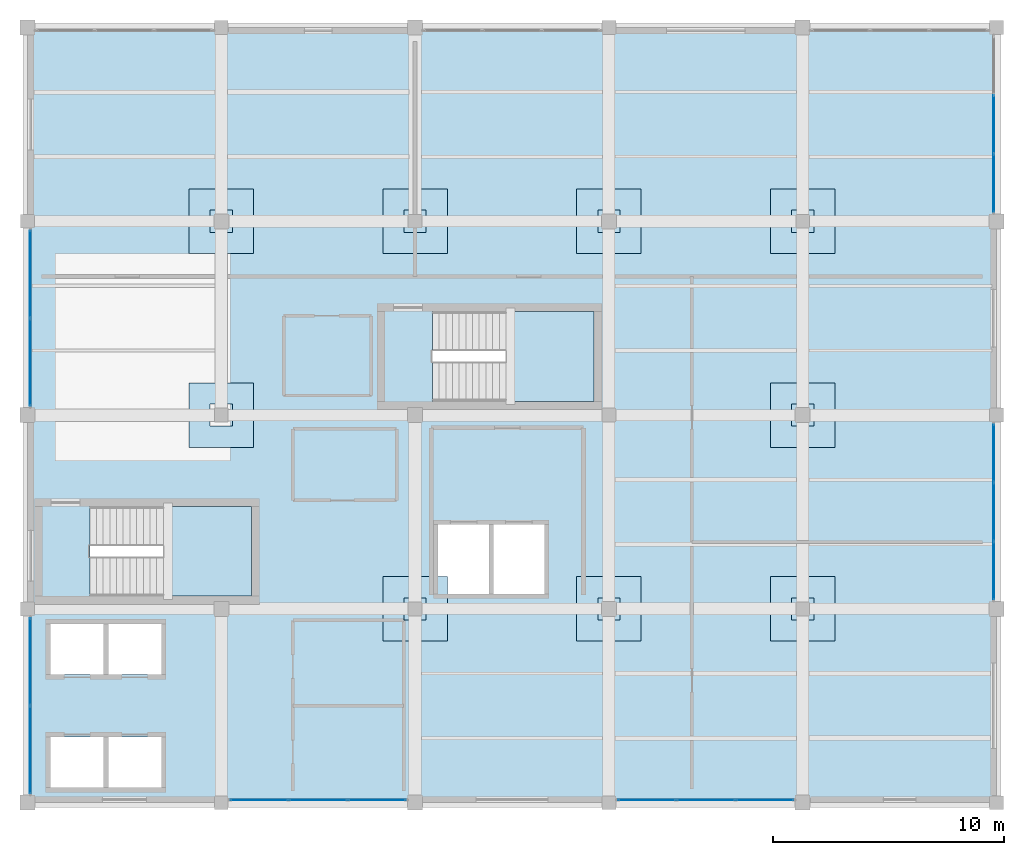
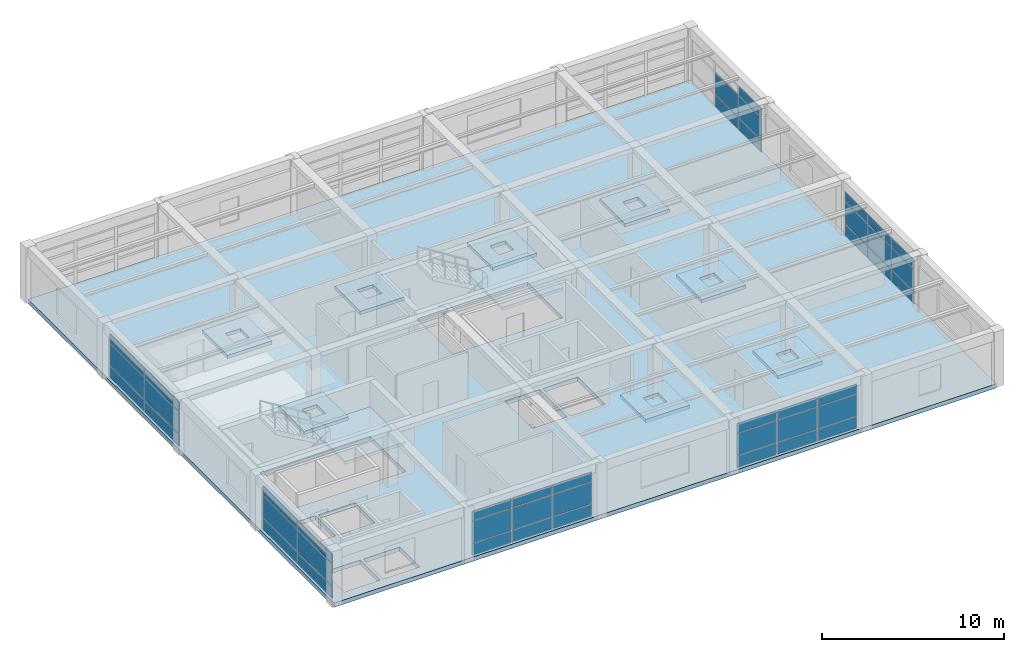
# One storey, part 22 of 26: 44 plates, 12 slabs, 8 elements without a shape of their own.
"""IFC4 building model written with IfcOpenShell, lengths in metres."""

from ifc_helpers import new_model, si_unit, direction, frame, origin, origin_2d, place, context, subcontext, project, spatial, polyline, rectangle, outline, extrude, material, layer, layer_set, type_object, element, aggregate, save


model = new_model("IFC4")

# Units and contexts
model_context = context("Model", 3, precision=1e-05, world=origin(), true_north=direction((0.0, 1.0)))
body_context = subcontext(model_context, "Body", "Model", "MODEL_VIEW")
ifc_project = project(units=[si_unit("LENGTHUNIT", "METRE"), si_unit("AREAUNIT", "SQUARE_METRE"), si_unit("VOLUMEUNIT", "CUBIC_METRE"), si_unit("PLANEANGLEUNIT", "RADIAN"), si_unit("MASSUNIT", "GRAM", prefix="KILO")], contexts=[model_context])

# Site, building, storey
site_placement = place(None, origin())
site = spatial("IfcSite", under=ifc_project, at=site_placement, CompositionType="ELEMENT")
building_placement = place(site_placement, origin())
building = spatial("IfcBuilding", under=site, at=building_placement, Name="Almacenes y Pasaje Nevantli", CompositionType="ELEMENT")
storey_placement = place(building_placement, frame((0.0, 0.0, 54.699951171875)))
storey = spatial("IfcBuildingStorey", under=building, at=storey_placement, Name="L13", CompositionType="ELEMENT", Elevation=54.699951171875)

# Curtain wall, plates
ifc_material_1 = material(Name="Thermally Broken Aluminium and Low-E Glass", Category="aluminium")
curtain_wall_type = type_object("IfcCurtainWallType", Name="CW-UNIT-TOWER", PredefinedType="USERDEFINED", material=ifc_material_1)
curtain_wall_1_placement = place(storey_placement, origin())
curtain_wall_1 = element("IfcCurtainWall", 1, at=curtain_wall_1_placement, inside=storey, type_object=curtain_wall_type, Name="L13 Tower South Unitized Curtain Wall Bay 16", ObjectType="UNITIZED CURTAIN WALL", PredefinedType="USERDEFINED")
ifc_material_2 = material(Name="Low-E Double Glazed Insulated Unit", Category="glass")
ifc_layer_1 = layer(ifc_material_2, 0.031982421875)
ifc_layer_set_1 = layer_set([ifc_layer_1], Name="Low-E Double Glazed Insulated Unit")
plate_type_1 = type_object("IfcPlateType", Name="PL-IGU-32", PredefinedType="CURTAIN_PANEL", material=ifc_layer_set_1)
plate_1_placement = place(storey_placement, frame((127.6484375, 67.320068359375, 0.06005859375), z_axis=(0.0, 0.0, 1.0), x_axis=(1.0, 0.0, 0.0)))
plate_1 = element("IfcPlate", 2, at=plate_1_placement, type_object=plate_type_1, Name="CW-L13-169 panel 1.1", PredefinedType="CURTAIN_PANEL", context=body_context, shape_type="SweptSolid", body=[
    extrude(rectangle(XDim=2.4765625, YDim=0.031982421875, at=origin_2d()), origin(), (0.0, 0.0, 1.0), 0.760009765625),
])
plate_2_placement = place(storey_placement, frame((127.6484375, 67.320068359375, 0.880126953125), z_axis=(0.0, 0.0, 1.0), x_axis=(1.0, 0.0, 0.0)))
plate_2 = element("IfcPlate", 3, at=plate_2_placement, type_object=plate_type_1, Name="CW-L13-169 panel 1.2", PredefinedType="CURTAIN_PANEL", context=body_context, shape_type="SweptSolid", body=[
    extrude(rectangle(XDim=2.4765625, YDim=0.031982421875, at=origin_2d()), origin(), (0.0, 0.0, 1.0), 1.43994140625),
])
plate_3_placement = place(storey_placement, frame((127.6484375, 67.320068359375, 2.3798828125), z_axis=(0.0, 0.0, 1.0), x_axis=(1.0, 0.0, 0.0)))
plate_3 = element("IfcPlate", 4, at=plate_3_placement, type_object=plate_type_1, Name="CW-L13-169 panel 1.3", PredefinedType="CURTAIN_PANEL", context=body_context, shape_type="SweptSolid", body=[
    extrude(rectangle(XDim=2.4765625, YDim=0.031982421875, at=origin_2d()), origin(), (0.0, 0.0, 1.0), 0.60009765625),
])
plate_4_placement = place(storey_placement, frame((130.199951171875, 67.320068359375, 0.06005859375), z_axis=(0.0, 0.0, 1.0), x_axis=(1.0, 0.0, 0.0)))
plate_4 = element("IfcPlate", 5, at=plate_4_placement, type_object=plate_type_1, Name="CW-L13-169 panel 2.1", PredefinedType="CURTAIN_PANEL", context=body_context, shape_type="SweptSolid", body=[
    extrude(rectangle(XDim=2.506591796875, YDim=0.031982421875, at=origin_2d()), origin(), (0.0, 0.0, 1.0), 0.760009765625),
])
plate_5_placement = place(storey_placement, frame((130.199951171875, 67.320068359375, 0.880126953125), z_axis=(0.0, 0.0, 1.0), x_axis=(1.0, 0.0, 0.0)))
plate_5 = element("IfcPlate", 6, at=plate_5_placement, type_object=plate_type_1, Name="CW-L13-169 panel 2.2", PredefinedType="CURTAIN_PANEL", context=body_context, shape_type="SweptSolid", body=[
    extrude(rectangle(XDim=2.506591796875, YDim=0.031982421875, at=origin_2d()), origin(), (0.0, 0.0, 1.0), 1.43994140625),
])
plate_6_placement = place(storey_placement, frame((130.199951171875, 67.320068359375, 2.3798828125), z_axis=(0.0, 0.0, 1.0), x_axis=(1.0, 0.0, 0.0)))
plate_6 = element("IfcPlate", 7, at=plate_6_placement, type_object=plate_type_1, Name="CW-L13-169 panel 2.3", PredefinedType="CURTAIN_PANEL", context=body_context, shape_type="SweptSolid", body=[
    extrude(rectangle(XDim=2.506591796875, YDim=0.031982421875, at=origin_2d()), origin(), (0.0, 0.0, 1.0), 0.60009765625),
])
plate_7_placement = place(storey_placement, frame((132.751708984375, 67.320068359375, 0.06005859375), z_axis=(0.0, 0.0, 1.0), x_axis=(1.0, 0.0, 0.0)))
plate_7 = element("IfcPlate", 8, at=plate_7_placement, type_object=plate_type_1, Name="CW-L13-169 panel 3.1", PredefinedType="CURTAIN_PANEL", context=body_context, shape_type="SweptSolid", body=[
    extrude(rectangle(XDim=2.4765625, YDim=0.031982421875, at=origin_2d()), origin(), (0.0, 0.0, 1.0), 0.760009765625),
])
plate_8_placement = place(storey_placement, frame((132.751708984375, 67.320068359375, 0.880126953125), z_axis=(0.0, 0.0, 1.0), x_axis=(1.0, 0.0, 0.0)))
plate_8 = element("IfcPlate", 9, at=plate_8_placement, type_object=plate_type_1, Name="CW-L13-169 panel 3.2", PredefinedType="CURTAIN_PANEL", context=body_context, shape_type="SweptSolid", body=[
    extrude(rectangle(XDim=2.4765625, YDim=0.031982421875, at=origin_2d()), origin(), (0.0, 0.0, 1.0), 1.43994140625),
])
plate_9_placement = place(storey_placement, frame((132.751708984375, 67.320068359375, 2.3798828125), z_axis=(0.0, 0.0, 1.0), x_axis=(1.0, 0.0, 0.0)))
plate_9 = element("IfcPlate", 10, at=plate_9_placement, type_object=plate_type_1, Name="CW-L13-169 panel 3.3", PredefinedType="CURTAIN_PANEL", context=body_context, shape_type="SweptSolid", body=[
    extrude(rectangle(XDim=2.4765625, YDim=0.031982421875, at=origin_2d()), origin(), (0.0, 0.0, 1.0), 0.60009765625),
])
aggregate(curtain_wall_1, [plate_1, plate_2, plate_3, plate_4, plate_5, plate_6, plate_7, plate_8, plate_9])

curtain_wall_2_placement = place(storey_placement, origin())
curtain_wall_2 = element("IfcCurtainWall", 11, at=curtain_wall_2_placement, inside=storey, type_object=curtain_wall_type, Name="L13 Tower South Unitized Curtain Wall Bay 18", ObjectType="UNITIZED CURTAIN WALL", PredefinedType="USERDEFINED")
plate_10_placement = place(storey_placement, frame((144.4482421875, 67.320068359375, 0.06005859375), z_axis=(0.0, 0.0, 1.0), x_axis=(1.0, 0.0, 0.0)))
plate_10 = element("IfcPlate", 12, at=plate_10_placement, type_object=plate_type_1, Name="CW-L13-171 panel 1.1", PredefinedType="CURTAIN_PANEL", context=body_context, shape_type="SweptSolid", body=[
    extrude(rectangle(XDim=2.4765625, YDim=0.031982421875, at=origin_2d()), origin(), (0.0, 0.0, 1.0), 0.760009765625),
])
plate_11_placement = place(storey_placement, frame((144.4482421875, 67.320068359375, 0.880126953125), z_axis=(0.0, 0.0, 1.0), x_axis=(1.0, 0.0, 0.0)))
plate_11 = element("IfcPlate", 13, at=plate_11_placement, type_object=plate_type_1, Name="CW-L13-171 panel 1.2", PredefinedType="CURTAIN_PANEL", context=body_context, shape_type="SweptSolid", body=[
    extrude(rectangle(XDim=2.4765625, YDim=0.031982421875, at=origin_2d()), origin(), (0.0, 0.0, 1.0), 1.43994140625),
])
plate_12_placement = place(storey_placement, frame((144.4482421875, 67.320068359375, 2.3798828125), z_axis=(0.0, 0.0, 1.0), x_axis=(1.0, 0.0, 0.0)))
plate_12 = element("IfcPlate", 14, at=plate_12_placement, type_object=plate_type_1, Name="CW-L13-171 panel 1.3", PredefinedType="CURTAIN_PANEL", context=body_context, shape_type="SweptSolid", body=[
    extrude(rectangle(XDim=2.4765625, YDim=0.031982421875, at=origin_2d()), origin(), (0.0, 0.0, 1.0), 0.60009765625),
])
plate_13_placement = place(storey_placement, frame((147.0, 67.320068359375, 0.06005859375), z_axis=(0.0, 0.0, 1.0), x_axis=(1.0, 0.0, 0.0)))
plate_13 = element("IfcPlate", 15, at=plate_13_placement, type_object=plate_type_1, Name="CW-L13-171 panel 2.1", PredefinedType="CURTAIN_PANEL", context=body_context, shape_type="SweptSolid", body=[
    extrude(rectangle(XDim=2.506591796875, YDim=0.031982421875, at=origin_2d()), origin(), (0.0, 0.0, 1.0), 0.760009765625),
])
plate_14_placement = place(storey_placement, frame((147.0, 67.320068359375, 0.880126953125), z_axis=(0.0, 0.0, 1.0), x_axis=(1.0, 0.0, 0.0)))
plate_14 = element("IfcPlate", 16, at=plate_14_placement, type_object=plate_type_1, Name="CW-L13-171 panel 2.2", PredefinedType="CURTAIN_PANEL", context=body_context, shape_type="SweptSolid", body=[
    extrude(rectangle(XDim=2.506591796875, YDim=0.031982421875, at=origin_2d()), origin(), (0.0, 0.0, 1.0), 1.43994140625),
])
plate_15_placement = place(storey_placement, frame((147.0, 67.320068359375, 2.3798828125), z_axis=(0.0, 0.0, 1.0), x_axis=(1.0, 0.0, 0.0)))
plate_15 = element("IfcPlate", 17, at=plate_15_placement, type_object=plate_type_1, Name="CW-L13-171 panel 2.3", PredefinedType="CURTAIN_PANEL", context=body_context, shape_type="SweptSolid", body=[
    extrude(rectangle(XDim=2.506591796875, YDim=0.031982421875, at=origin_2d()), origin(), (0.0, 0.0, 1.0), 0.60009765625),
])
plate_16_placement = place(storey_placement, frame((149.5517578125, 67.320068359375, 0.06005859375), z_axis=(0.0, 0.0, 1.0), x_axis=(1.0, 0.0, 0.0)))
plate_16 = element("IfcPlate", 18, at=plate_16_placement, type_object=plate_type_1, Name="CW-L13-171 panel 3.1", PredefinedType="CURTAIN_PANEL", context=body_context, shape_type="SweptSolid", body=[
    extrude(rectangle(XDim=2.4765625, YDim=0.031982421875, at=origin_2d()), origin(), (0.0, 0.0, 1.0), 0.760009765625),
])
plate_17_placement = place(storey_placement, frame((149.5517578125, 67.320068359375, 0.880126953125), z_axis=(0.0, 0.0, 1.0), x_axis=(1.0, 0.0, 0.0)))
plate_17 = element("IfcPlate", 19, at=plate_17_placement, type_object=plate_type_1, Name="CW-L13-171 panel 3.2", PredefinedType="CURTAIN_PANEL", context=body_context, shape_type="SweptSolid", body=[
    extrude(rectangle(XDim=2.4765625, YDim=0.031982421875, at=origin_2d()), origin(), (0.0, 0.0, 1.0), 1.43994140625),
])
plate_18_placement = place(storey_placement, frame((149.5517578125, 67.320068359375, 2.3798828125), z_axis=(0.0, 0.0, 1.0), x_axis=(1.0, 0.0, 0.0)))
plate_18 = element("IfcPlate", 20, at=plate_18_placement, type_object=plate_type_1, Name="CW-L13-171 panel 3.3", PredefinedType="CURTAIN_PANEL", context=body_context, shape_type="SweptSolid", body=[
    extrude(rectangle(XDim=2.4765625, YDim=0.031982421875, at=origin_2d()), origin(), (0.0, 0.0, 1.0), 0.60009765625),
])
aggregate(curtain_wall_2, [plate_10, plate_11, plate_12, plate_13, plate_14, plate_15, plate_16, plate_17, plate_18])

curtain_wall_3_placement = place(storey_placement, origin())
curtain_wall_3 = element("IfcCurtainWall", 21, at=curtain_wall_3_placement, inside=storey, type_object=curtain_wall_type, Name="L13 Tower West Curtain Wall Bay 9", ObjectType="UNITIZED CURTAIN WALL", PredefinedType="USERDEFINED")
plate_19_placement = place(storey_placement, frame((117.719970703125, 69.489990234375, 0.06005859375), z_axis=(0.0, 0.0, 1.0), x_axis=(0.0, 1.0, 0.0)))
plate_19 = element("IfcPlate", 22, at=plate_19_placement, type_object=plate_type_1, Name="CW-L13-173 panel 1.1", PredefinedType="CURTAIN_PANEL", context=body_context, shape_type="SweptSolid", body=[
    extrude(rectangle(XDim=3.760009765625, YDim=0.031982421875, at=origin_2d()), origin(), (0.0, 0.0, 1.0), 0.760009765625),
])
plate_20_placement = place(storey_placement, frame((117.719970703125, 69.489990234375, 0.880126953125), z_axis=(0.0, 0.0, 1.0), x_axis=(0.0, 1.0, 0.0)))
plate_20 = element("IfcPlate", 23, at=plate_20_placement, type_object=plate_type_1, Name="CW-L13-173 panel 1.2", PredefinedType="CURTAIN_PANEL", context=body_context, shape_type="SweptSolid", body=[
    extrude(rectangle(XDim=3.760009765625, YDim=0.031982421875, at=origin_2d()), origin(), (0.0, 0.0, 1.0), 1.43994140625),
])
plate_21_placement = place(storey_placement, frame((117.719970703125, 69.489990234375, 2.3798828125), z_axis=(0.0, 0.0, 1.0), x_axis=(0.0, 1.0, 0.0)))
plate_21 = element("IfcPlate", 24, at=plate_21_placement, type_object=plate_type_1, Name="CW-L13-173 panel 1.3", PredefinedType="CURTAIN_PANEL", context=body_context, shape_type="SweptSolid", body=[
    extrude(rectangle(XDim=3.760009765625, YDim=0.031982421875, at=origin_2d()), origin(), (0.0, 0.0, 1.0), 0.60009765625),
])
plate_22_placement = place(storey_placement, frame((117.719970703125, 73.31005859375, 0.06005859375), z_axis=(0.0, 0.0, 1.0), x_axis=(0.0, 1.0, 0.0)))
plate_22 = element("IfcPlate", 25, at=plate_22_placement, type_object=plate_type_1, Name="CW-L13-173 panel 2.1", PredefinedType="CURTAIN_PANEL", context=body_context, shape_type="SweptSolid", body=[
    extrude(rectangle(XDim=3.760009765625, YDim=0.031982421875, at=origin_2d()), origin(), (0.0, 0.0, 1.0), 0.760009765625),
])
plate_23_placement = place(storey_placement, frame((117.719970703125, 73.31005859375, 0.880126953125), z_axis=(0.0, 0.0, 1.0), x_axis=(0.0, 1.0, 0.0)))
plate_23 = element("IfcPlate", 26, at=plate_23_placement, type_object=plate_type_1, Name="CW-L13-173 panel 2.2", PredefinedType="CURTAIN_PANEL", context=body_context, shape_type="SweptSolid", body=[
    extrude(rectangle(XDim=3.760009765625, YDim=0.031982421875, at=origin_2d()), origin(), (0.0, 0.0, 1.0), 1.43994140625),
])
plate_24_placement = place(storey_placement, frame((117.719970703125, 73.31005859375, 2.3798828125), z_axis=(0.0, 0.0, 1.0), x_axis=(0.0, 1.0, 0.0)))
plate_24 = element("IfcPlate", 27, at=plate_24_placement, type_object=plate_type_1, Name="CW-L13-173 panel 2.3", PredefinedType="CURTAIN_PANEL", context=body_context, shape_type="SweptSolid", body=[
    extrude(rectangle(XDim=3.760009765625, YDim=0.031982421875, at=origin_2d()), origin(), (0.0, 0.0, 1.0), 0.60009765625),
])
aggregate(curtain_wall_3, [plate_19, plate_20, plate_21, plate_22, plate_23, plate_24])

curtain_wall_4_placement = place(storey_placement, origin())
curtain_wall_4 = element("IfcCurtainWall", 28, at=curtain_wall_4_placement, inside=storey, type_object=curtain_wall_type, Name="L13 Tower West Curtain Wall Bay 11", ObjectType="UNITIZED CURTAIN WALL", PredefinedType="USERDEFINED")
plate_25_placement = place(storey_placement, frame((117.719970703125, 86.2900390625, 0.06005859375), z_axis=(0.0, 0.0, 1.0), x_axis=(0.0, 1.0, 0.0)))
plate_25 = element("IfcPlate", 29, at=plate_25_placement, type_object=plate_type_1, Name="CW-L13-175 panel 1.1", PredefinedType="CURTAIN_PANEL", context=body_context, shape_type="SweptSolid", body=[
    extrude(rectangle(XDim=3.760009765625, YDim=0.031982421875, at=origin_2d()), origin(), (0.0, 0.0, 1.0), 0.760009765625),
])
plate_26_placement = place(storey_placement, frame((117.719970703125, 86.2900390625, 0.880126953125), z_axis=(0.0, 0.0, 1.0), x_axis=(0.0, 1.0, 0.0)))
plate_26 = element("IfcPlate", 30, at=plate_26_placement, type_object=plate_type_1, Name="CW-L13-175 panel 1.2", PredefinedType="CURTAIN_PANEL", context=body_context, shape_type="SweptSolid", body=[
    extrude(rectangle(XDim=3.760009765625, YDim=0.031982421875, at=origin_2d()), origin(), (0.0, 0.0, 1.0), 1.43994140625),
])
plate_27_placement = place(storey_placement, frame((117.719970703125, 86.2900390625, 2.3798828125), z_axis=(0.0, 0.0, 1.0), x_axis=(0.0, 1.0, 0.0)))
plate_27 = element("IfcPlate", 31, at=plate_27_placement, type_object=plate_type_1, Name="CW-L13-175 panel 1.3", PredefinedType="CURTAIN_PANEL", context=body_context, shape_type="SweptSolid", body=[
    extrude(rectangle(XDim=3.760009765625, YDim=0.031982421875, at=origin_2d()), origin(), (0.0, 0.0, 1.0), 0.60009765625),
])
plate_28_placement = place(storey_placement, frame((117.719970703125, 90.110107421875, 0.06005859375), z_axis=(0.0, 0.0, 1.0), x_axis=(0.0, 1.0, 0.0)))
plate_28 = element("IfcPlate", 32, at=plate_28_placement, type_object=plate_type_1, Name="CW-L13-175 panel 2.1", PredefinedType="CURTAIN_PANEL", context=body_context, shape_type="SweptSolid", body=[
    extrude(rectangle(XDim=3.760009765625, YDim=0.031982421875, at=origin_2d()), origin(), (0.0, 0.0, 1.0), 0.760009765625),
])
plate_29_placement = place(storey_placement, frame((117.719970703125, 90.110107421875, 0.880126953125), z_axis=(0.0, 0.0, 1.0), x_axis=(0.0, 1.0, 0.0)))
plate_29 = element("IfcPlate", 33, at=plate_29_placement, type_object=plate_type_1, Name="CW-L13-175 panel 2.2", PredefinedType="CURTAIN_PANEL", context=body_context, shape_type="SweptSolid", body=[
    extrude(rectangle(XDim=3.760009765625, YDim=0.031982421875, at=origin_2d()), origin(), (0.0, 0.0, 1.0), 1.43994140625),
])
plate_30_placement = place(storey_placement, frame((117.719970703125, 90.110107421875, 2.3798828125), z_axis=(0.0, 0.0, 1.0), x_axis=(0.0, 1.0, 0.0)))
plate_30 = element("IfcPlate", 34, at=plate_30_placement, type_object=plate_type_1, Name="CW-L13-175 panel 2.3", PredefinedType="CURTAIN_PANEL", context=body_context, shape_type="SweptSolid", body=[
    extrude(rectangle(XDim=3.760009765625, YDim=0.031982421875, at=origin_2d()), origin(), (0.0, 0.0, 1.0), 0.60009765625),
])
aggregate(curtain_wall_4, [plate_25, plate_26, plate_27, plate_28, plate_29, plate_30])

curtain_wall_5_placement = place(storey_placement, origin())
curtain_wall_5 = element("IfcCurtainWall", 35, at=curtain_wall_5_placement, inside=storey, type_object=curtain_wall_type, Name="L13 Tower East Curtain Wall Bay 10", ObjectType="UNITIZED CURTAIN WALL", PredefinedType="USERDEFINED")
ifc_material_3 = material(Name="Acoustic Tempered Low-E Triple Glazed Unit", Category="glass")
ifc_layer_2 = layer(ifc_material_3, 0.0419921875)
ifc_layer_set_2 = layer_set([ifc_layer_2], Name="Acoustic Tempered Low-E Triple Glazed Unit")
plate_type_2 = type_object("IfcPlateType", Name="PL-IGU-42", PredefinedType="CURTAIN_PANEL", material=ifc_layer_set_2)
plate_31_placement = place(storey_placement, frame((159.47998046875, 77.248291015625, 0.06005859375), z_axis=(0.0, 0.0, 1.0), x_axis=(0.0, 1.0, 0.0)))
plate_31 = element("IfcPlate", 36, at=plate_31_placement, type_object=plate_type_2, Name="CW-L13-174 panel 1.1", PredefinedType="CURTAIN_PANEL", context=body_context, shape_type="SweptSolid", body=[
    extrude(rectangle(XDim=2.4765625, YDim=0.0419921875, at=origin_2d()), origin(), (0.0, 0.0, 1.0), 0.760009765625),
])
plate_32_placement = place(storey_placement, frame((159.47998046875, 77.248291015625, 0.880126953125), z_axis=(0.0, 0.0, 1.0), x_axis=(0.0, 1.0, 0.0)))
plate_32 = element("IfcPlate", 37, at=plate_32_placement, type_object=plate_type_2, Name="CW-L13-174 panel 1.2", PredefinedType="CURTAIN_PANEL", context=body_context, shape_type="SweptSolid", body=[
    extrude(rectangle(XDim=2.4765625, YDim=0.0419921875, at=origin_2d()), origin(), (0.0, 0.0, 1.0), 1.43994140625),
])
plate_33_placement = place(storey_placement, frame((159.47998046875, 77.248291015625, 2.3798828125), z_axis=(0.0, 0.0, 1.0), x_axis=(0.0, 1.0, 0.0)))
plate_33 = element("IfcPlate", 38, at=plate_33_placement, type_object=plate_type_2, Name="CW-L13-174 panel 1.3", PredefinedType="CURTAIN_PANEL", context=body_context, shape_type="SweptSolid", body=[
    extrude(rectangle(XDim=2.4765625, YDim=0.0419921875, at=origin_2d()), origin(), (0.0, 0.0, 1.0), 0.60009765625),
])
plate_34_placement = place(storey_placement, frame((159.47998046875, 79.800048828125, 0.06005859375), z_axis=(0.0, 0.0, 1.0), x_axis=(0.0, 1.0, 0.0)))
plate_34 = element("IfcPlate", 39, at=plate_34_placement, type_object=plate_type_2, Name="CW-L13-174 panel 2.1", PredefinedType="CURTAIN_PANEL", context=body_context, shape_type="SweptSolid", body=[
    extrude(rectangle(XDim=2.506591796875, YDim=0.0419921875, at=origin_2d()), origin(), (0.0, 0.0, 1.0), 0.760009765625),
])
plate_35_placement = place(storey_placement, frame((159.47998046875, 79.800048828125, 0.880126953125), z_axis=(0.0, 0.0, 1.0), x_axis=(0.0, 1.0, 0.0)))
plate_35 = element("IfcPlate", 40, at=plate_35_placement, type_object=plate_type_2, Name="CW-L13-174 panel 2.2", PredefinedType="CURTAIN_PANEL", context=body_context, shape_type="SweptSolid", body=[
    extrude(rectangle(XDim=2.506591796875, YDim=0.0419921875, at=origin_2d()), origin(), (0.0, 0.0, 1.0), 1.43994140625),
])
plate_36_placement = place(storey_placement, frame((159.47998046875, 79.800048828125, 2.3798828125), z_axis=(0.0, 0.0, 1.0), x_axis=(0.0, 1.0, 0.0)))
plate_36 = element("IfcPlate", 41, at=plate_36_placement, type_object=plate_type_2, Name="CW-L13-174 panel 2.3", PredefinedType="CURTAIN_PANEL", context=body_context, shape_type="SweptSolid", body=[
    extrude(rectangle(XDim=2.506591796875, YDim=0.0419921875, at=origin_2d()), origin(), (0.0, 0.0, 1.0), 0.60009765625),
])
plate_37_placement = place(storey_placement, frame((159.47998046875, 82.3515625, 0.06005859375), z_axis=(0.0, 0.0, 1.0), x_axis=(0.0, 1.0, 0.0)))
plate_37 = element("IfcPlate", 42, at=plate_37_placement, type_object=plate_type_2, Name="CW-L13-174 panel 3.1", PredefinedType="CURTAIN_PANEL", context=body_context, shape_type="SweptSolid", body=[
    extrude(rectangle(XDim=2.4765625, YDim=0.0419921875, at=origin_2d()), origin(), (0.0, 0.0, 1.0), 0.760009765625),
])
plate_38_placement = place(storey_placement, frame((159.47998046875, 82.3515625, 0.880126953125), z_axis=(0.0, 0.0, 1.0), x_axis=(0.0, 1.0, 0.0)))
plate_38 = element("IfcPlate", 43, at=plate_38_placement, type_object=plate_type_2, Name="CW-L13-174 panel 3.2", PredefinedType="CURTAIN_PANEL", context=body_context, shape_type="SweptSolid", body=[
    extrude(rectangle(XDim=2.4765625, YDim=0.0419921875, at=origin_2d()), origin(), (0.0, 0.0, 1.0), 1.43994140625),
])
plate_39_placement = place(storey_placement, frame((159.47998046875, 82.3515625, 2.3798828125), z_axis=(0.0, 0.0, 1.0), x_axis=(0.0, 1.0, 0.0)))
plate_39 = element("IfcPlate", 44, at=plate_39_placement, type_object=plate_type_2, Name="CW-L13-174 panel 3.3", PredefinedType="CURTAIN_PANEL", context=body_context, shape_type="SweptSolid", body=[
    extrude(rectangle(XDim=2.4765625, YDim=0.0419921875, at=origin_2d()), origin(), (0.0, 0.0, 1.0), 0.60009765625),
])
aggregate(curtain_wall_5, [plate_31, plate_32, plate_33, plate_34, plate_35, plate_36, plate_37, plate_38, plate_39])

curtain_wall_6_placement = place(storey_placement, origin())
curtain_wall_6 = element("IfcCurtainWall", 45, at=curtain_wall_6_placement, inside=storey, type_object=curtain_wall_type, Name="L13 Tower East Curtain Wall Bay 12", ObjectType="UNITIZED CURTAIN WALL", PredefinedType="USERDEFINED")
plate_40_placement = place(storey_placement, frame((159.47998046875, 94.04833984375, 0.06005859375), z_axis=(0.0, 0.0, 1.0), x_axis=(0.0, 1.0, 0.0)))
plate_40 = element("IfcPlate", 46, at=plate_40_placement, type_object=plate_type_2, Name="CW-L13-176 panel 1.1", PredefinedType="CURTAIN_PANEL", context=body_context, shape_type="SweptSolid", body=[
    extrude(rectangle(XDim=2.4765625, YDim=0.0419921875, at=origin_2d()), origin(), (0.0, 0.0, 1.0), 0.760009765625),
])
plate_41_placement = place(storey_placement, frame((159.47998046875, 94.04833984375, 0.880126953125), z_axis=(0.0, 0.0, 1.0), x_axis=(0.0, 1.0, 0.0)))
plate_41 = element("IfcPlate", 47, at=plate_41_placement, type_object=plate_type_2, Name="CW-L13-176 panel 1.2", PredefinedType="CURTAIN_PANEL", context=body_context, shape_type="SweptSolid", body=[
    extrude(rectangle(XDim=2.4765625, YDim=0.0419921875, at=origin_2d()), origin(), (0.0, 0.0, 1.0), 1.43994140625),
])
plate_42_placement = place(storey_placement, frame((159.47998046875, 94.04833984375, 2.3798828125), z_axis=(0.0, 0.0, 1.0), x_axis=(0.0, 1.0, 0.0)))
plate_42 = element("IfcPlate", 48, at=plate_42_placement, type_object=plate_type_2, Name="CW-L13-176 panel 1.3", PredefinedType="CURTAIN_PANEL", context=body_context, shape_type="SweptSolid", body=[
    extrude(rectangle(XDim=2.4765625, YDim=0.0419921875, at=origin_2d()), origin(), (0.0, 0.0, 1.0), 0.60009765625),
])
plate_43_placement = place(storey_placement, frame((159.47998046875, 96.60009765625, 0.06005859375), z_axis=(0.0, 0.0, 1.0), x_axis=(0.0, 1.0, 0.0)))
plate_43 = element("IfcPlate", 49, at=plate_43_placement, type_object=plate_type_2, Name="CW-L13-176 panel 2.1", PredefinedType="CURTAIN_PANEL", context=body_context, shape_type="SweptSolid", body=[
    extrude(rectangle(XDim=2.506591796875, YDim=0.0419921875, at=origin_2d()), origin(), (0.0, 0.0, 1.0), 0.760009765625),
])
plate_44_placement = place(storey_placement, frame((159.47998046875, 96.60009765625, 0.880126953125), z_axis=(0.0, 0.0, 1.0), x_axis=(0.0, 1.0, 0.0)))
plate_44 = element("IfcPlate", 50, at=plate_44_placement, type_object=plate_type_2, Name="CW-L13-176 panel 2.2", PredefinedType="CURTAIN_PANEL", context=body_context, shape_type="SweptSolid", body=[
    extrude(rectangle(XDim=2.506591796875, YDim=0.0419921875, at=origin_2d()), origin(), (0.0, 0.0, 1.0), 1.43994140625),
])
aggregate(curtain_wall_6, [plate_40, plate_41, plate_42, plate_43, plate_44])

# Slabs
ifc_material_4 = material(Name="Concrete C35/45", Category="concrete")
ifc_layer_3 = layer(ifc_material_4, 0.22998046875)
ifc_layer_set_3 = layer_set([ifc_layer_3], Name="Concrete C35/45")
slab_type_1 = type_object("IfcSlabType", Name="SLB-DP-230", PredefinedType="USERDEFINED", material=ifc_layer_set_3)
slab_1_placement = place(storey_placement, frame((0.0, 0.0, -0.510009765625)))
element("IfcSlab", 51, at=slab_1_placement, inside=storey, type_object=slab_type_1, Name="L13 Punching-Shear Drop Panel DP-01 #1170", ObjectType="DROP PANEL", PredefinedType="USERDEFINED", context=body_context, shape_type="SweptSolid", body=[
    extrude(outline(polyline([(124.60009765625, 82.60009765625), (127.39990234375, 82.60009765625), (127.39990234375, 85.39990234375), (124.60009765625, 85.39990234375), (124.60009765625, 82.60009765625)]), holes=[polyline([(125.52001953125, 83.52001953125), (126.47998046875, 83.52001953125), (126.47998046875, 84.47998046875), (125.52001953125, 84.47998046875), (125.52001953125, 83.52001953125)])]), origin(), (0.0, 0.0, 1.0), 0.22998046875),
])
slab_2_placement = place(storey_placement, frame((0.0, 0.0, -0.510009765625)))
element("IfcSlab", 52, at=slab_2_placement, inside=storey, type_object=slab_type_1, Name="L13 Punching-Shear Drop Panel DP-01 #1171", ObjectType="DROP PANEL", PredefinedType="USERDEFINED", context=body_context, shape_type="SweptSolid", body=[
    extrude(outline(polyline([(124.60009765625, 91.0), (127.39990234375, 91.0), (127.39990234375, 93.800048828125), (124.60009765625, 93.800048828125), (124.60009765625, 91.0)]), holes=[polyline([(125.52001953125, 91.919921875), (126.47998046875, 91.919921875), (126.47998046875, 92.8798828125), (125.52001953125, 92.8798828125), (125.52001953125, 91.919921875)])]), origin(), (0.0, 0.0, 1.0), 0.22998046875),
])
slab_3_placement = place(storey_placement, frame((0.0, 0.0, -0.510009765625)))
element("IfcSlab", 53, at=slab_3_placement, inside=storey, type_object=slab_type_1, Name="L13 Punching-Shear Drop Panel DP-01 #1172", ObjectType="DROP PANEL", PredefinedType="USERDEFINED", context=body_context, shape_type="SweptSolid", body=[
    extrude(outline(polyline([(133.0, 74.199951171875), (135.800048828125, 74.199951171875), (135.800048828125, 77.0), (133.0, 77.0), (133.0, 74.199951171875)]), holes=[polyline([(133.919921875, 75.1201171875), (134.8798828125, 75.1201171875), (134.8798828125, 76.080078125), (133.919921875, 76.080078125), (133.919921875, 75.1201171875)])]), origin(), (0.0, 0.0, 1.0), 0.22998046875),
])
slab_4_placement = place(storey_placement, frame((0.0, 0.0, -0.510009765625)))
element("IfcSlab", 54, at=slab_4_placement, inside=storey, type_object=slab_type_1, Name="L13 Punching-Shear Drop Panel DP-01 #1173", ObjectType="DROP PANEL", PredefinedType="USERDEFINED", context=body_context, shape_type="SweptSolid", body=[
    extrude(outline(polyline([(133.0, 91.0), (135.800048828125, 91.0), (135.800048828125, 93.800048828125), (133.0, 93.800048828125), (133.0, 91.0)]), holes=[polyline([(133.919921875, 91.919921875), (134.8798828125, 91.919921875), (134.8798828125, 92.8798828125), (133.919921875, 92.8798828125), (133.919921875, 91.919921875)])]), origin(), (0.0, 0.0, 1.0), 0.22998046875),
])
slab_5_placement = place(storey_placement, frame((0.0, 0.0, -0.510009765625)))
element("IfcSlab", 55, at=slab_5_placement, inside=storey, type_object=slab_type_1, Name="L13 Punching-Shear Drop Panel DP-01 #1174", ObjectType="DROP PANEL", PredefinedType="USERDEFINED", context=body_context, shape_type="SweptSolid", body=[
    extrude(outline(polyline([(141.39990234375, 74.199951171875), (144.199951171875, 74.199951171875), (144.199951171875, 77.0), (141.39990234375, 77.0), (141.39990234375, 74.199951171875)]), holes=[polyline([(142.320068359375, 75.1201171875), (143.280029296875, 75.1201171875), (143.280029296875, 76.080078125), (142.320068359375, 76.080078125), (142.320068359375, 75.1201171875)])]), origin(), (0.0, 0.0, 1.0), 0.22998046875),
])
slab_6_placement = place(storey_placement, frame((0.0, 0.0, -0.510009765625)))
element("IfcSlab", 56, at=slab_6_placement, inside=storey, type_object=slab_type_1, Name="L13 Punching-Shear Drop Panel DP-01 #1175", ObjectType="DROP PANEL", PredefinedType="USERDEFINED", context=body_context, shape_type="SweptSolid", body=[
    extrude(outline(polyline([(141.39990234375, 91.0), (144.199951171875, 91.0), (144.199951171875, 93.800048828125), (141.39990234375, 93.800048828125), (141.39990234375, 91.0)]), holes=[polyline([(142.320068359375, 91.919921875), (143.280029296875, 91.919921875), (143.280029296875, 92.8798828125), (142.320068359375, 92.8798828125), (142.320068359375, 91.919921875)])]), origin(), (0.0, 0.0, 1.0), 0.22998046875),
])
slab_7_placement = place(storey_placement, frame((0.0, 0.0, -0.510009765625)))
element("IfcSlab", 57, at=slab_7_placement, inside=storey, type_object=slab_type_1, Name="L13 Punching-Shear Drop Panel DP-01 #1176", ObjectType="DROP PANEL", PredefinedType="USERDEFINED", context=body_context, shape_type="SweptSolid", body=[
    extrude(outline(polyline([(149.800048828125, 74.199951171875), (152.60009765625, 74.199951171875), (152.60009765625, 77.0), (149.800048828125, 77.0), (149.800048828125, 74.199951171875)]), holes=[polyline([(150.719970703125, 75.1201171875), (151.679931640625, 75.1201171875), (151.679931640625, 76.080078125), (150.719970703125, 76.080078125), (150.719970703125, 75.1201171875)])]), origin(), (0.0, 0.0, 1.0), 0.22998046875),
])
slab_8_placement = place(storey_placement, frame((0.0, 0.0, -0.510009765625)))
element("IfcSlab", 58, at=slab_8_placement, inside=storey, type_object=slab_type_1, Name="L13 Punching-Shear Drop Panel DP-01 #1177", ObjectType="DROP PANEL", PredefinedType="USERDEFINED", context=body_context, shape_type="SweptSolid", body=[
    extrude(outline(polyline([(149.800048828125, 82.60009765625), (152.60009765625, 82.60009765625), (152.60009765625, 85.39990234375), (149.800048828125, 85.39990234375), (149.800048828125, 82.60009765625)]), holes=[polyline([(150.719970703125, 83.52001953125), (151.679931640625, 83.52001953125), (151.679931640625, 84.47998046875), (150.719970703125, 84.47998046875), (150.719970703125, 83.52001953125)])]), origin(), (0.0, 0.0, 1.0), 0.22998046875),
])
slab_9_placement = place(storey_placement, frame((0.0, 0.0, -0.510009765625)))
element("IfcSlab", 59, at=slab_9_placement, inside=storey, type_object=slab_type_1, Name="L13 Punching-Shear Drop Panel DP-01 #1178", ObjectType="DROP PANEL", PredefinedType="USERDEFINED", context=body_context, shape_type="SweptSolid", body=[
    extrude(outline(polyline([(149.800048828125, 91.0), (152.60009765625, 91.0), (152.60009765625, 93.800048828125), (149.800048828125, 93.800048828125), (149.800048828125, 91.0)]), holes=[polyline([(150.719970703125, 91.919921875), (151.679931640625, 91.919921875), (151.679931640625, 92.8798828125), (150.719970703125, 92.8798828125), (150.719970703125, 91.919921875)])]), origin(), (0.0, 0.0, 1.0), 0.22998046875),
])
ifc_material_5 = material(Name="Concrete C35/45", Category="concrete")
ifc_layer_4 = layer(ifc_material_5, 0.280029296875)
ifc_layer_set_4 = layer_set([ifc_layer_4], Name="Concrete C35/45")
slab_type_2 = type_object("IfcSlabType", Name="SLB-FLR-280", PredefinedType="FLOOR", material=ifc_layer_set_4)
slab_10_placement = place(storey_placement, frame((0.0, 0.0, -0.280029296875)))
element("IfcSlab", 60, at=slab_10_placement, inside=storey, type_object=slab_type_2, Name="L13 Corporate Office Tower Floor Slab", PredefinedType="FLOOR", context=body_context, shape_type="SweptSolid", body=[
    extrude(outline(polyline([(117.60009765625, 67.199951171875), (159.60009765625, 67.199951171875), (159.60009765625, 100.800048828125), (117.60009765625, 100.800048828125), (117.60009765625, 67.199951171875)]), holes=[polyline([(120.31494140625, 76.14990234375), (127.300048828125, 76.14990234375), (127.300048828125, 80.0400390625), (120.31494140625, 80.0400390625), (120.31494140625, 76.14990234375)]), polyline([(135.1650390625, 84.60009765625), (142.14990234375, 84.60009765625), (142.14990234375, 88.489990234375), (135.1650390625, 88.489990234375), (135.1650390625, 84.60009765625)]), polyline([(118.60009765625, 67.85009765625), (120.89990234375, 67.85009765625), (120.89990234375, 70.050048828125), (118.60009765625, 70.050048828125), (118.60009765625, 67.85009765625)]), polyline([(121.10009765625, 67.85009765625), (123.39990234375, 67.85009765625), (123.39990234375, 70.050048828125), (121.10009765625, 70.050048828125), (121.10009765625, 67.85009765625)]), polyline([(118.60009765625, 72.75), (120.89990234375, 72.75), (120.89990234375, 74.949951171875), (118.60009765625, 74.949951171875), (118.60009765625, 72.75)]), polyline([(121.10009765625, 72.75), (123.39990234375, 72.75), (123.39990234375, 74.949951171875), (121.10009765625, 74.949951171875), (121.10009765625, 72.75)]), polyline([(135.39990234375, 76.25), (137.60009765625, 76.25), (137.60009765625, 79.25), (135.39990234375, 79.25), (135.39990234375, 76.25)]), polyline([(137.800048828125, 76.25), (140.0, 76.25), (140.0, 79.25), (137.800048828125, 79.25), (137.800048828125, 76.25)])]), origin(), (0.0, 0.0, 1.0), 0.280029296875),
])

# Stair, slab
ifc_material_6 = material(Name="Concrete C35/45", Category="concrete")
stair_type = type_object("IfcStairType", Name="STR-CORE-1720", PredefinedType="HALF_TURN_STAIR", material=ifc_material_6)
stair_1_placement = place(storey_placement, origin())
stair_1 = element("IfcStair", 61, at=stair_1_placement, inside=storey, type_object=stair_type, Name="L13 Staircase ST-01", PredefinedType="HALF_TURN_STAIR")
ifc_material_7 = material(Name="Concrete C35/45", Category="concrete")
ifc_layer_5 = layer(ifc_material_7, 0.199951171875)
ifc_layer_set_5 = layer_set([ifc_layer_5], Name="Concrete C35/45")
slab_type_3 = type_object("IfcSlabType", Name="SLB-LAND-200", PredefinedType="LANDING", material=ifc_layer_set_5)
slab_11_placement = place(storey_placement, frame((0.0, 0.0, 1.800048828125)))
slab_11 = element("IfcSlab", 62, at=slab_11_placement, type_object=slab_type_3, Name="ST-01-L13 landing 1", PredefinedType="LANDING", context=body_context, shape_type="SweptSolid", body=[
    extrude(outline(polyline([(123.47509765625, 76.14990234375), (127.300048828125, 76.14990234375), (127.300048828125, 80.0400390625), (123.47509765625, 80.0400390625), (123.47509765625, 76.14990234375)])), origin(), (0.0, 0.0, 1.0), 0.199951171875),
])
aggregate(stair_1, [slab_11])

stair_2_placement = place(storey_placement, origin())
stair_2 = element("IfcStair", 63, at=stair_2_placement, inside=storey, type_object=stair_type, Name="L13 Staircase ST-02", PredefinedType="HALF_TURN_STAIR")
slab_12_placement = place(storey_placement, frame((0.0, 0.0, 1.800048828125)))
slab_12 = element("IfcSlab", 64, at=slab_12_placement, type_object=slab_type_3, Name="ST-02-L13 landing 1", PredefinedType="LANDING", context=body_context, shape_type="SweptSolid", body=[
    extrude(outline(polyline([(138.324951171875, 84.60009765625), (142.14990234375, 84.60009765625), (142.14990234375, 88.489990234375), (138.324951171875, 88.489990234375), (138.324951171875, 84.60009765625)])), origin(), (0.0, 0.0, 1.0), 0.199951171875),
])
aggregate(stair_2, [slab_12])

save(model, "model.ifc")
